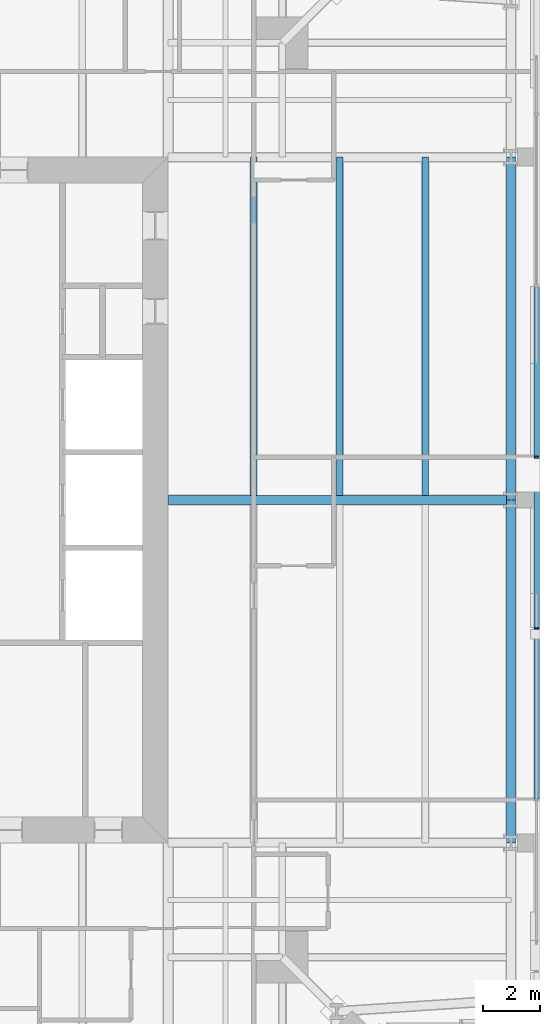
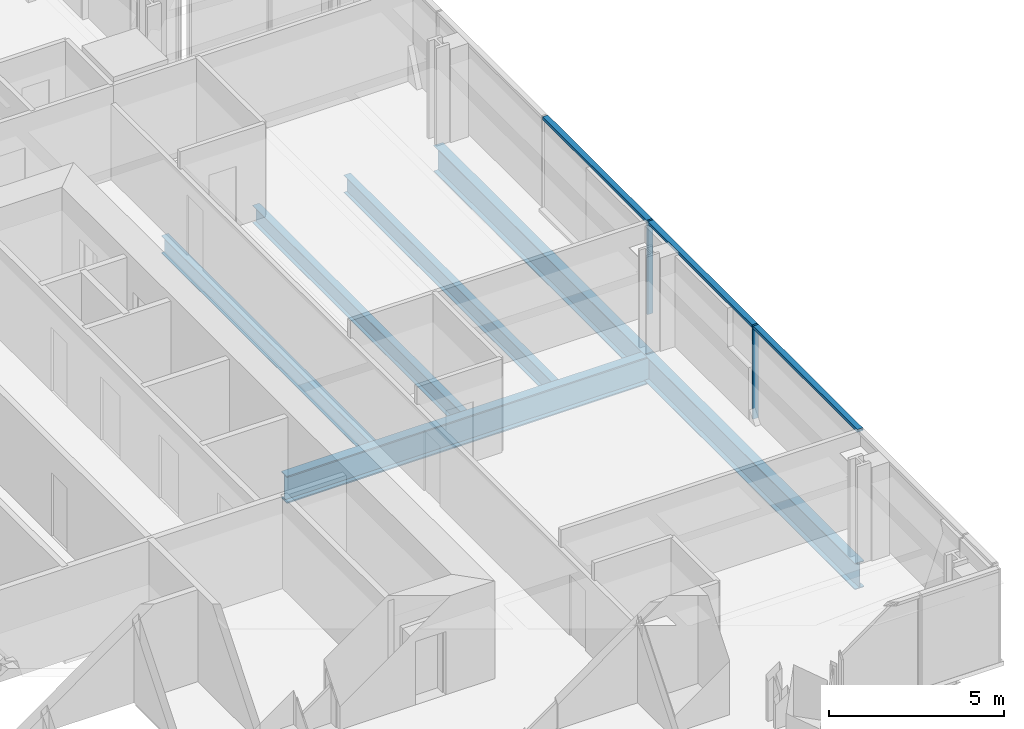
# One storey, part 6 of 20: 6 beams, 5 members, 1 element without a shape of its own.
"""IFC4 building model written with IfcOpenShell, lengths in metres."""

from ifc_helpers import new_model, si_unit, direction, frame, origin, origin_2d, place, context, subcontext, project, spatial, rectangle, i_section, extrude, material, material_profile, profile_set, type_object, element, aggregate, save


model = new_model("IFC4")

# Units and contexts
model_context = context("Model", 3, precision=1e-05, world=origin(), true_north=direction((0.0, 1.0)))
body_context = subcontext(model_context, "Body", "Model", "MODEL_VIEW")
ifc_project = project(units=[si_unit("LENGTHUNIT", "METRE"), si_unit("AREAUNIT", "SQUARE_METRE"), si_unit("VOLUMEUNIT", "CUBIC_METRE"), si_unit("PLANEANGLEUNIT", "RADIAN"), si_unit("MASSUNIT", "GRAM", prefix="KILO")], contexts=[model_context])

# Site, building, storey
site_placement = place(None, origin())
site = spatial("IfcSite", under=ifc_project, at=site_placement, CompositionType="ELEMENT")
building_placement = place(site_placement, origin())
building = spatial("IfcBuilding", under=site, at=building_placement, Name="Fenwick Lantern Interchange", CompositionType="ELEMENT")
storey_placement = place(building_placement, frame((0.0, 0.0, 279.800048828125)))
storey = spatial("IfcBuildingStorey", under=building, at=storey_placement, Name="L67", CompositionType="ELEMENT", Elevation=279.800048828125)

# Beams
ifc_material_1 = material(Name="Steel ASTM A992 Grade 50", Category="steel")
ifc_material_profile_1 = material_profile(ifc_material_1, i_section(OverallWidth=0.3046875, OverallDepth=0.911865234375, WebThickness=0.015869140625, FlangeThickness=0.02392578125, at=origin_2d()), Name="W36X150")
ifc_profile_set_1 = profile_set([ifc_material_profile_1], Name="Steel ASTM A992 Grade 50")
beam_type_1 = type_object("IfcBeamType", Name="EDGE BEAM W36X150", PredefinedType="SPANDREL", material=ifc_profile_set_1)
for number, where, z_axis, x_axis, name in (
    (1, (49.0, 13.0, -0.60595703125), (0.0, 1.0, 0.0), (-1.0, 0.0, 0.0), "L67/FR/E/EB2"),
    (2, (49.0, 25.0, -0.60595703125), (0.0, 1.0, 0.0), (-1.0, 0.0, 0.0), "L67/FR/E/EB3"),
):
    element("IfcBeam", number, at=place(storey_placement, frame(where, z_axis=z_axis, x_axis=x_axis)), inside=storey, type_object=beam_type_1, Name=name, PredefinedType="SPANDREL", context=body_context, shape_type="SweptSolid", body=[
        extrude(i_section(OverallWidth=0.3046875, OverallDepth=0.911865234375, WebThickness=0.015869140625, FlangeThickness=0.02392578125, at=origin_2d()), origin(), (0.0, 0.0, 1.0), 12.0),
    ])
ifc_material_profile_2 = material_profile(ifc_material_1, i_section(OverallWidth=0.22900390625, OverallDepth=0.612060546875, WebThickness=0.011962890625, FlangeThickness=0.01953125, at=origin_2d()), Name="W24X84")
ifc_profile_set_2 = profile_set([ifc_material_profile_2], Name="Steel ASTM A992 Grade 50")
beam_type_2 = type_object("IfcBeamType", Name="FLOOR BEAM W24X84", PredefinedType="BEAM", material=ifc_profile_set_2)
for number, where, z_axis, x_axis, name in (
    (3, (46.0, 25.155029296875, -0.4560546875), (0.0, 1.0, 0.0), (-1.0, 0.0, 0.0), "L67/FR/E/B04"),
    (4, (43.0, 25.155029296875, -0.4560546875), (0.0, 1.0, 0.0), (-1.0, 0.0, 0.0), "L67/FR/E/B05"),
    (5, (40.0, 25.155029296875, -0.4560546875), (0.0, 1.0, 0.0), (-1.0, 0.0, 0.0), "L67/FR/E/B06"),
):
    element("IfcBeam", number, at=place(storey_placement, frame(where, z_axis=z_axis, x_axis=x_axis)), inside=storey, type_object=beam_type_2, Name=name, PredefinedType="BEAM", context=body_context, shape_type="SweptSolid", body=[
        extrude(i_section(OverallWidth=0.22900390625, OverallDepth=0.612060546875, WebThickness=0.011962890625, FlangeThickness=0.01953125, at=origin_2d()), origin(), (0.0, 0.0, 1.0), 11.844970703125),
    ])

# Curtain wall, members
ifc_material_2 = material(Name="Aluminium curtain wall frame", Category="aluminium")
curtain_wall_type = type_object("IfcCurtainWallType", Name="HOTEL CURTAIN WALL", PredefinedType="USERDEFINED", material=ifc_material_2)
curtain_wall_placement = place(storey_placement, origin())
curtain_wall = element("IfcCurtainWall", 6, at=curtain_wall_placement, inside=storey, type_object=curtain_wall_type, Name="Hotel curtain wall 05", ObjectType="HOTEL CURTAIN WALL", PredefinedType="USERDEFINED")
ifc_material_3 = material(Name="Aluminium extrusion", Category="aluminium")
ifc_material_profile_3 = material_profile(ifc_material_3, rectangle(XDim=0.179931640625, YDim=0.06005859375, at=origin_2d()), Name="HOTEL CURTAIN WALL MULLION 60 X 180")
ifc_profile_set_3 = profile_set([ifc_material_profile_3], Name="Aluminium extrusion")
member_type_1 = type_object("IfcMemberType", Name="HOTEL CURTAIN WALL MULLION 60 X 180", PredefinedType="MULLION", material=ifc_profile_set_3)
member_1_placement = place(storey_placement, frame((49.89990234375, 20.5, 0.0), z_axis=(0.0, 0.0, 1.0), x_axis=(-1.0, 0.0, 0.0)))
member_1 = element("IfcMember", 7, at=member_1_placement, type_object=member_type_1, Name="L67/CW/05/M03", PredefinedType="MULLION", context=body_context, shape_type="SweptSolid", body=[
    extrude(rectangle(XDim=0.179931640625, YDim=0.06005859375, at=origin_2d()), origin(), (0.0, 0.0, 1.0), 3.25),
])
member_2_placement = place(storey_placement, frame((49.89990234375, 26.5, 0.0), z_axis=(0.0, 0.0, 1.0), x_axis=(-1.0, 0.0, 0.0)))
member_2 = element("IfcMember", 8, at=member_2_placement, type_object=member_type_1, Name="L67/CW/05/M04", PredefinedType="MULLION", context=body_context, shape_type="SweptSolid", body=[
    extrude(rectangle(XDim=0.179931640625, YDim=0.06005859375, at=origin_2d()), origin(), (0.0, 0.0, 1.0), 3.25),
])
ifc_material_profile_4 = material_profile(ifc_material_3, rectangle(XDim=0.179931640625, YDim=0.10009765625, at=origin_2d()), Name="HOTEL CURTAIN WALL TRANSOM 100 X 180")
ifc_profile_set_4 = profile_set([ifc_material_profile_4], Name="Aluminium extrusion")
member_type_2 = type_object("IfcMemberType", Name="HOTEL CURTAIN WALL TRANSOM 100 X 180", PredefinedType="MULLION", material=ifc_profile_set_4)
member_3_placement = place(storey_placement, frame((49.89990234375, 14.530029296875, 3.199951171875), z_axis=(0.0, 1.0, 0.0), x_axis=(-1.0, 0.0, 0.0)))
member_3 = element("IfcMember", 9, at=member_3_placement, type_object=member_type_2, Name="L67/CW/05/T02", PredefinedType="MULLION", context=body_context, shape_type="SweptSolid", body=[
    extrude(rectangle(XDim=0.179931640625, YDim=0.10009765625, at=origin_2d()), origin(), (0.0, 0.0, 1.0), 5.93994140625),
])
member_4_placement = place(storey_placement, frame((49.89990234375, 20.530029296875, 3.199951171875), z_axis=(0.0, 1.0, 0.0), x_axis=(-1.0, 0.0, 0.0)))
member_4 = element("IfcMember", 10, at=member_4_placement, type_object=member_type_2, Name="L67/CW/05/T03", PredefinedType="MULLION", context=body_context, shape_type="SweptSolid", body=[
    extrude(rectangle(XDim=0.179931640625, YDim=0.10009765625, at=origin_2d()), origin(), (0.0, 0.0, 1.0), 5.93994140625),
])
member_5_placement = place(storey_placement, frame((49.89990234375, 26.530029296875, 3.199951171875), z_axis=(0.0, 1.0, 0.0), x_axis=(-1.0, 0.0, 0.0)))
member_5 = element("IfcMember", 11, at=member_5_placement, type_object=member_type_2, Name="L67/CW/05/T04", PredefinedType="MULLION", context=body_context, shape_type="SweptSolid", body=[
    extrude(rectangle(XDim=0.179931640625, YDim=0.10009765625, at=origin_2d()), origin(), (0.0, 0.0, 1.0), 5.93994140625),
])
aggregate(curtain_wall, [member_1, member_2, member_3, member_4, member_5])

# Beam
ifc_material_profile_5 = material_profile(ifc_material_1, i_section(OverallWidth=0.309814453125, OverallDepth=0.949951171875, WebThickness=0.0244140625, FlangeThickness=0.0439453125, at=origin_2d()), Name="W36X256")
ifc_profile_set_5 = profile_set([ifc_material_profile_5], Name="Steel ASTM A992 Grade 50")
beam_type_3 = type_object("IfcBeamType", Name="MOMENT-CONNECTED GIRDER W36X256", PredefinedType="BEAM", material=ifc_profile_set_5)
beam_placement = place(storey_placement, frame((49.0, 25.0, -0.625), z_axis=(-1.0, 0.0, 0.0), x_axis=(0.0, -1.0, 0.0)))
element("IfcBeam", 12, at=beam_placement, inside=storey, type_object=beam_type_3, Name="L67/FR/E/R02", PredefinedType="BEAM", context=body_context, shape_type="SweptSolid", body=[
    extrude(i_section(OverallWidth=0.309814453125, OverallDepth=0.949951171875, WebThickness=0.0244140625, FlangeThickness=0.0439453125, at=origin_2d()), origin(), (0.0, 0.0, 1.0), 12.0),
])

save(model, "model.ifc")
